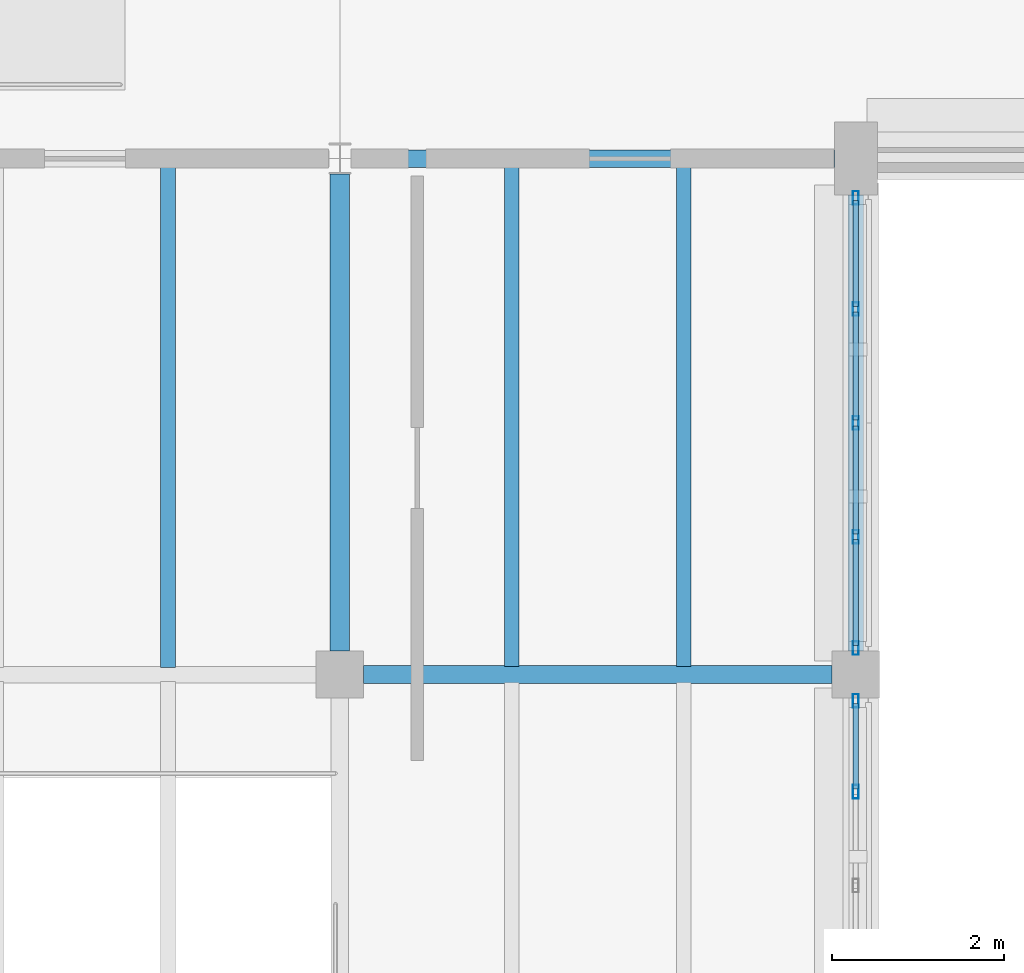
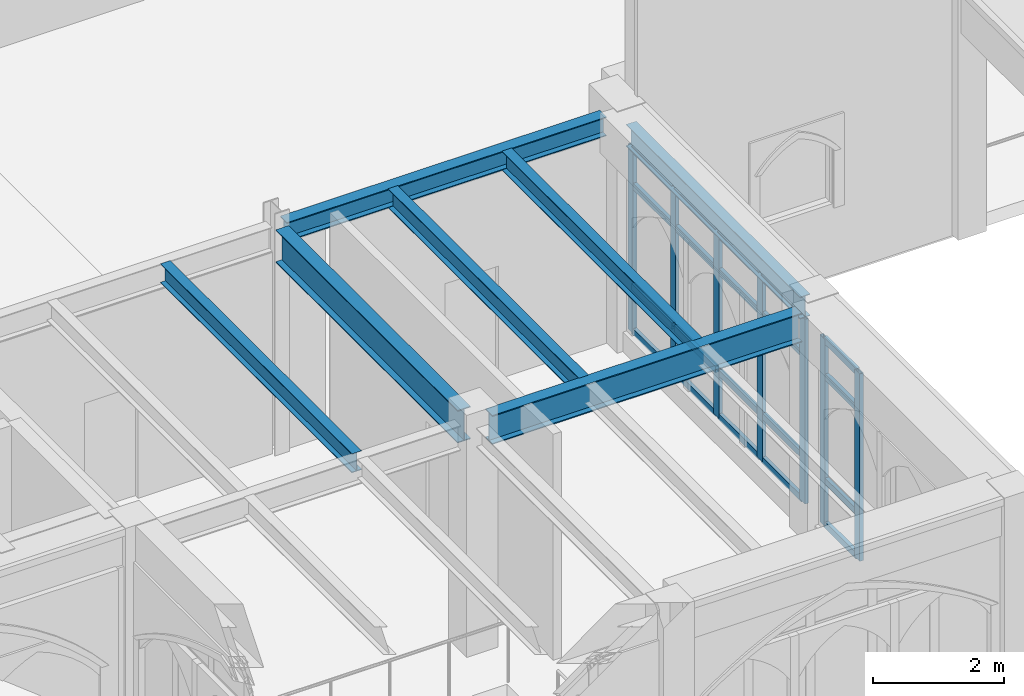
# One storey, part 40 of 108: 27 members, 7 beams, 2 elements without a shape of their own.
"""IFC4 building model written with IfcOpenShell, lengths in metres."""

from ifc_helpers import new_model, si_unit, direction, frame, origin, origin_2d, place, context, subcontext, project, spatial, hollow_rectangle, i_section, extrude, material, layer, layer_set, material_profile, profile_set, type_object, element, aggregate, save


model = new_model("IFC4")

# Units and contexts
model_context = context("Model", 3, precision=1e-05, world=origin(), true_north=direction((0.0, 1.0)))
body_context = subcontext(model_context, "Body", "Model", "MODEL_VIEW")
ifc_project = project(units=[si_unit("LENGTHUNIT", "METRE"), si_unit("AREAUNIT", "SQUARE_METRE"), si_unit("VOLUMEUNIT", "CUBIC_METRE"), si_unit("PLANEANGLEUNIT", "RADIAN"), si_unit("MASSUNIT", "GRAM", prefix="KILO")], contexts=[model_context])

# Site, building, storey
site_placement = place(None, origin())
site = spatial("IfcSite", under=ifc_project, at=site_placement, CompositionType="ELEMENT")
building_placement = place(site_placement, origin())
building = spatial("IfcBuilding", under=site, at=building_placement, Name="Cumevento Cable Car Station", CompositionType="ELEMENT")
storey_placement = place(building_placement, frame((0.0, 0.0, 13.5)))
storey = spatial("IfcBuildingStorey", under=building, at=storey_placement, Name="L04", CompositionType="ELEMENT", Elevation=13.5)

# Curtain wall, members
ifc_material_1 = material(Name="Anodised Bronze Aluminium AW-6063-T6", Category="aluminium")
ifc_layer_1 = layer(ifc_material_1, 0.177978515625)
ifc_layer_set_1 = layer_set([ifc_layer_1], Name="Anodised Bronze Aluminium AW-6063-T6")
curtain_wall_type_1 = type_object("IfcCurtainWallType", Name="Lancet Curtain Wall CW-04 1170", PredefinedType="NOTDEFINED", material=ifc_layer_set_1)
curtain_wall_1_placement = place(storey_placement, origin())
curtain_wall_1 = element("IfcCurtainWall", 1, at=curtain_wall_1_placement, inside=storey, type_object=curtain_wall_type_1, Name="Lancet Curtain Wall CW-04 L04 #147", PredefinedType="NOTDEFINED")
ifc_material_2 = material(Name="Anodised Bronze Aluminium AW-6063-T6", Category="aluminium")
ifc_material_profile_1 = material_profile(ifc_material_2, hollow_rectangle(XDim=0.06494140625, YDim=0.159912109375, WallThickness=0.00390625, at=origin_2d()), Name="ALUM65x160x4")
ifc_profile_set_1 = profile_set([ifc_material_profile_1], Name="Anodised Bronze Aluminium AW-6063-T6")
member_type_1 = type_object("IfcMemberType", Name="Curtain Mullion CWM-01 ALUM65x160x4", PredefinedType="MULLION", material=ifc_profile_set_1)
member_1_placement = place(storey_placement, frame((82.0, 38.6923828125, 0.31005859375), z_axis=(0.0, 0.0, 1.0), x_axis=(1.0, 0.0, 0.0)))
member_1 = element("IfcMember", 2, at=member_1_placement, type_object=member_type_1, Name="CW-04 mullion 1", PredefinedType="MULLION", context=body_context, shape_type="SweptSolid", body=[
    extrude(hollow_rectangle(XDim=0.06494140625, YDim=0.159912109375, WallThickness=0.00390625, at=origin_2d()), origin(), (0.0, 0.0, 1.0), 3.487060546875),
])
member_2_placement = place(storey_placement, frame((82.0, 37.635009765625, 0.31005859375), z_axis=(0.0, 0.0, 1.0), x_axis=(1.0, 0.0, 0.0)))
member_2 = element("IfcMember", 3, at=member_2_placement, type_object=member_type_1, Name="CW-04 mullion 2", PredefinedType="MULLION", context=body_context, shape_type="SweptSolid", body=[
    extrude(hollow_rectangle(XDim=0.06494140625, YDim=0.159912109375, WallThickness=0.00390625, at=origin_2d()), origin(), (0.0, 0.0, 1.0), 3.487060546875),
])

ifc_material_3 = material(Name="Anodised Bronze Aluminium AW-6063-T6", Category="aluminium")
ifc_layer_2 = layer(ifc_material_3, 0.18408203125)
ifc_layer_set_2 = layer_set([ifc_layer_2], Name="Anodised Bronze Aluminium AW-6063-T6")
curtain_wall_type_2 = type_object("IfcCurtainWallType", Name="Lancet Curtain Wall CW-05 1210", PredefinedType="NOTDEFINED", material=ifc_layer_set_2)
curtain_wall_2_placement = place(storey_placement, origin())
curtain_wall_2 = element("IfcCurtainWall", 4, at=curtain_wall_2_placement, inside=storey, type_object=curtain_wall_type_2, Name="Lancet Curtain Wall CW-05 L04 #148", PredefinedType="NOTDEFINED")
member_3_placement = place(storey_placement, frame((82.0, 44.54248046875, 0.360107421875), z_axis=(0.0, 0.0, 1.0), x_axis=(1.0, 0.0, 0.0)))
member_3 = element("IfcMember", 5, at=member_3_placement, type_object=member_type_1, Name="CW-05 mullion 1", PredefinedType="MULLION", context=body_context, shape_type="SweptSolid", body=[
    extrude(hollow_rectangle(XDim=0.06494140625, YDim=0.159912109375, WallThickness=0.00390625, at=origin_2d()), origin(), (0.0, 0.0, 1.0), 3.43701171875),
])
member_4_placement = place(storey_placement, frame((82.0, 43.25, 0.360107421875), z_axis=(0.0, 0.0, 1.0), x_axis=(1.0, 0.0, 0.0)))
member_4 = element("IfcMember", 6, at=member_4_placement, type_object=member_type_1, Name="CW-05 mullion 2", PredefinedType="MULLION", context=body_context, shape_type="SweptSolid", body=[
    extrude(hollow_rectangle(XDim=0.06494140625, YDim=0.159912109375, WallThickness=0.00390625, at=origin_2d()), origin(), (0.0, 0.0, 1.0), 3.43701171875),
])
member_5_placement = place(storey_placement, frame((82.0, 41.925048828125, 0.360107421875), z_axis=(0.0, 0.0, 1.0), x_axis=(1.0, 0.0, 0.0)))
member_5 = element("IfcMember", 7, at=member_5_placement, type_object=member_type_1, Name="CW-05 mullion 3", PredefinedType="MULLION", context=body_context, shape_type="SweptSolid", body=[
    extrude(hollow_rectangle(XDim=0.06494140625, YDim=0.159912109375, WallThickness=0.00390625, at=origin_2d()), origin(), (0.0, 0.0, 1.0), 3.43701171875),
])
member_6_placement = place(storey_placement, frame((82.0, 40.60009765625, 0.360107421875), z_axis=(0.0, 0.0, 1.0), x_axis=(1.0, 0.0, 0.0)))
member_6 = element("IfcMember", 8, at=member_6_placement, type_object=member_type_1, Name="CW-05 mullion 4", PredefinedType="MULLION", context=body_context, shape_type="SweptSolid", body=[
    extrude(hollow_rectangle(XDim=0.06494140625, YDim=0.159912109375, WallThickness=0.00390625, at=origin_2d()), origin(), (0.0, 0.0, 1.0), 3.43701171875),
])
member_7_placement = place(storey_placement, frame((82.0, 39.3076171875, 0.360107421875), z_axis=(0.0, 0.0, 1.0), x_axis=(1.0, 0.0, 0.0)))
member_7 = element("IfcMember", 9, at=member_7_placement, type_object=member_type_1, Name="CW-05 mullion 5", PredefinedType="MULLION", context=body_context, shape_type="SweptSolid", body=[
    extrude(hollow_rectangle(XDim=0.06494140625, YDim=0.159912109375, WallThickness=0.00390625, at=origin_2d()), origin(), (0.0, 0.0, 1.0), 3.43701171875),
])

# Member
ifc_material_4 = material(Name="Anodised Bronze Aluminium AW-6063-T6", Category="aluminium")
ifc_material_profile_2 = material_profile(ifc_material_4, hollow_rectangle(XDim=0.06494140625, YDim=0.1201171875, WallThickness=0.00390625, at=origin_2d()), Name="ALUT65x120x4")
ifc_profile_set_2 = profile_set([ifc_material_profile_2], Name="Anodised Bronze Aluminium AW-6063-T6")
member_type_2 = type_object("IfcMemberType", Name="Curtain Transom CWT-01 ALUT65x120x4", PredefinedType="USERDEFINED", material=ifc_profile_set_2)
member_8_placement = place(storey_placement, frame((82.0, 38.659912109375, 0.342529296875), z_axis=(0.0, -1.0, 0.0), x_axis=(1.0, 0.0, 0.0)))
member_8 = element("IfcMember", 10, at=member_8_placement, type_object=member_type_2, Name="CW-04 transom 1.1", ObjectType="TRANSOM", PredefinedType="USERDEFINED", context=body_context, shape_type="SweptSolid", body=[
    extrude(hollow_rectangle(XDim=0.06494140625, YDim=0.1201171875, WallThickness=0.00390625, at=origin_2d()), origin(), (0.0, 0.0, 1.0), 0.992431640625),
])

member_9_placement = place(storey_placement, frame((82.0, 38.659912109375, 1.159912109375), z_axis=(0.0, -1.0, 0.0), x_axis=(1.0, 0.0, 0.0)))
member_9 = element("IfcMember", 11, at=member_9_placement, type_object=member_type_2, Name="CW-04 transom 1.2", ObjectType="TRANSOM", PredefinedType="USERDEFINED", context=body_context, shape_type="SweptSolid", body=[
    extrude(hollow_rectangle(XDim=0.06494140625, YDim=0.1201171875, WallThickness=0.00390625, at=origin_2d()), origin(), (0.0, 0.0, 1.0), 0.992431640625),
])

member_10_placement = place(storey_placement, frame((82.0, 38.659912109375, 3.096923828125), z_axis=(0.0, -1.0, 0.0), x_axis=(1.0, 0.0, 0.0)))
member_10 = element("IfcMember", 12, at=member_10_placement, type_object=member_type_2, Name="CW-04 transom 1.3", ObjectType="TRANSOM", PredefinedType="USERDEFINED", context=body_context, shape_type="SweptSolid", body=[
    extrude(hollow_rectangle(XDim=0.06494140625, YDim=0.1201171875, WallThickness=0.00390625, at=origin_2d()), origin(), (0.0, 0.0, 1.0), 0.992431640625),
])

member_11_placement = place(storey_placement, frame((82.0, 38.659912109375, 3.764404296875), z_axis=(0.0, -1.0, 0.0), x_axis=(1.0, 0.0, 0.0)))
member_11 = element("IfcMember", 13, at=member_11_placement, type_object=member_type_2, Name="CW-04 transom 1.4", ObjectType="TRANSOM", PredefinedType="USERDEFINED", context=body_context, shape_type="SweptSolid", body=[
    extrude(hollow_rectangle(XDim=0.06494140625, YDim=0.1201171875, WallThickness=0.00390625, at=origin_2d()), origin(), (0.0, 0.0, 1.0), 0.992431640625),
])

aggregate(curtain_wall_1, [member_1, member_2, member_8, member_9, member_10, member_11])

member_12_placement = place(storey_placement, frame((82.0, 44.510009765625, 0.392578125), z_axis=(0.0, -1.0, 0.0), x_axis=(1.0, 0.0, 0.0)))
member_12 = element("IfcMember", 14, at=member_12_placement, type_object=member_type_2, Name="CW-05 transom 1.1", ObjectType="TRANSOM", PredefinedType="USERDEFINED", context=body_context, shape_type="SweptSolid", body=[
    extrude(hollow_rectangle(XDim=0.06494140625, YDim=0.1201171875, WallThickness=0.00390625, at=origin_2d()), origin(), (0.0, 0.0, 1.0), 1.2275390625),
])

member_13_placement = place(storey_placement, frame((82.0, 44.510009765625, 1.2099609375), z_axis=(0.0, -1.0, 0.0), x_axis=(1.0, 0.0, 0.0)))
member_13 = element("IfcMember", 15, at=member_13_placement, type_object=member_type_2, Name="CW-05 transom 1.2", ObjectType="TRANSOM", PredefinedType="USERDEFINED", context=body_context, shape_type="SweptSolid", body=[
    extrude(hollow_rectangle(XDim=0.06494140625, YDim=0.1201171875, WallThickness=0.00390625, at=origin_2d()), origin(), (0.0, 0.0, 1.0), 1.2275390625),
])

member_14_placement = place(storey_placement, frame((82.0, 44.510009765625, 3.096923828125), z_axis=(0.0, -1.0, 0.0), x_axis=(1.0, 0.0, 0.0)))
member_14 = element("IfcMember", 16, at=member_14_placement, type_object=member_type_2, Name="CW-05 transom 1.3", ObjectType="TRANSOM", PredefinedType="USERDEFINED", context=body_context, shape_type="SweptSolid", body=[
    extrude(hollow_rectangle(XDim=0.06494140625, YDim=0.1201171875, WallThickness=0.00390625, at=origin_2d()), origin(), (0.0, 0.0, 1.0), 1.2275390625),
])

member_15_placement = place(storey_placement, frame((82.0, 44.510009765625, 3.764404296875), z_axis=(0.0, -1.0, 0.0), x_axis=(1.0, 0.0, 0.0)))
member_15 = element("IfcMember", 17, at=member_15_placement, type_object=member_type_2, Name="CW-05 transom 1.4", ObjectType="TRANSOM", PredefinedType="USERDEFINED", context=body_context, shape_type="SweptSolid", body=[
    extrude(hollow_rectangle(XDim=0.06494140625, YDim=0.1201171875, WallThickness=0.00390625, at=origin_2d()), origin(), (0.0, 0.0, 1.0), 1.2275390625),
])

member_16_placement = place(storey_placement, frame((82.0, 43.217529296875, 0.392578125), z_axis=(0.0, -1.0, 0.0), x_axis=(1.0, 0.0, 0.0)))
member_16 = element("IfcMember", 18, at=member_16_placement, type_object=member_type_2, Name="CW-05 transom 2.1", ObjectType="TRANSOM", PredefinedType="USERDEFINED", context=body_context, shape_type="SweptSolid", body=[
    extrude(hollow_rectangle(XDim=0.06494140625, YDim=0.1201171875, WallThickness=0.00390625, at=origin_2d()), origin(), (0.0, 0.0, 1.0), 1.260009765625),
])

member_17_placement = place(storey_placement, frame((82.0, 43.217529296875, 1.2099609375), z_axis=(0.0, -1.0, 0.0), x_axis=(1.0, 0.0, 0.0)))
member_17 = element("IfcMember", 19, at=member_17_placement, type_object=member_type_2, Name="CW-05 transom 2.2", ObjectType="TRANSOM", PredefinedType="USERDEFINED", context=body_context, shape_type="SweptSolid", body=[
    extrude(hollow_rectangle(XDim=0.06494140625, YDim=0.1201171875, WallThickness=0.00390625, at=origin_2d()), origin(), (0.0, 0.0, 1.0), 1.260009765625),
])

member_18_placement = place(storey_placement, frame((82.0, 43.217529296875, 3.096923828125), z_axis=(0.0, -1.0, 0.0), x_axis=(1.0, 0.0, 0.0)))
member_18 = element("IfcMember", 20, at=member_18_placement, type_object=member_type_2, Name="CW-05 transom 2.3", ObjectType="TRANSOM", PredefinedType="USERDEFINED", context=body_context, shape_type="SweptSolid", body=[
    extrude(hollow_rectangle(XDim=0.06494140625, YDim=0.1201171875, WallThickness=0.00390625, at=origin_2d()), origin(), (0.0, 0.0, 1.0), 1.260009765625),
])

member_19_placement = place(storey_placement, frame((82.0, 43.217529296875, 3.764404296875), z_axis=(0.0, -1.0, 0.0), x_axis=(1.0, 0.0, 0.0)))
member_19 = element("IfcMember", 21, at=member_19_placement, type_object=member_type_2, Name="CW-05 transom 2.4", ObjectType="TRANSOM", PredefinedType="USERDEFINED", context=body_context, shape_type="SweptSolid", body=[
    extrude(hollow_rectangle(XDim=0.06494140625, YDim=0.1201171875, WallThickness=0.00390625, at=origin_2d()), origin(), (0.0, 0.0, 1.0), 1.260009765625),
])

member_20_placement = place(storey_placement, frame((82.0, 41.892578125, 0.392578125), z_axis=(0.0, -1.0, 0.0), x_axis=(1.0, 0.0, 0.0)))
member_20 = element("IfcMember", 22, at=member_20_placement, type_object=member_type_2, Name="CW-05 transom 3.1", ObjectType="TRANSOM", PredefinedType="USERDEFINED", context=body_context, shape_type="SweptSolid", body=[
    extrude(hollow_rectangle(XDim=0.06494140625, YDim=0.1201171875, WallThickness=0.00390625, at=origin_2d()), origin(), (0.0, 0.0, 1.0), 1.260009765625),
])

member_21_placement = place(storey_placement, frame((82.0, 41.892578125, 1.2099609375), z_axis=(0.0, -1.0, 0.0), x_axis=(1.0, 0.0, 0.0)))
member_21 = element("IfcMember", 23, at=member_21_placement, type_object=member_type_2, Name="CW-05 transom 3.2", ObjectType="TRANSOM", PredefinedType="USERDEFINED", context=body_context, shape_type="SweptSolid", body=[
    extrude(hollow_rectangle(XDim=0.06494140625, YDim=0.1201171875, WallThickness=0.00390625, at=origin_2d()), origin(), (0.0, 0.0, 1.0), 1.260009765625),
])

member_22_placement = place(storey_placement, frame((82.0, 41.892578125, 3.096923828125), z_axis=(0.0, -1.0, 0.0), x_axis=(1.0, 0.0, 0.0)))
member_22 = element("IfcMember", 24, at=member_22_placement, type_object=member_type_2, Name="CW-05 transom 3.3", ObjectType="TRANSOM", PredefinedType="USERDEFINED", context=body_context, shape_type="SweptSolid", body=[
    extrude(hollow_rectangle(XDim=0.06494140625, YDim=0.1201171875, WallThickness=0.00390625, at=origin_2d()), origin(), (0.0, 0.0, 1.0), 1.260009765625),
])

member_23_placement = place(storey_placement, frame((82.0, 41.892578125, 3.764404296875), z_axis=(0.0, -1.0, 0.0), x_axis=(1.0, 0.0, 0.0)))
member_23 = element("IfcMember", 25, at=member_23_placement, type_object=member_type_2, Name="CW-05 transom 3.4", ObjectType="TRANSOM", PredefinedType="USERDEFINED", context=body_context, shape_type="SweptSolid", body=[
    extrude(hollow_rectangle(XDim=0.06494140625, YDim=0.1201171875, WallThickness=0.00390625, at=origin_2d()), origin(), (0.0, 0.0, 1.0), 1.260009765625),
])

member_24_placement = place(storey_placement, frame((82.0, 40.5673828125, 0.392578125), z_axis=(0.0, -1.0, 0.0), x_axis=(1.0, 0.0, 0.0)))
member_24 = element("IfcMember", 26, at=member_24_placement, type_object=member_type_2, Name="CW-05 transom 4.1", ObjectType="TRANSOM", PredefinedType="USERDEFINED", context=body_context, shape_type="SweptSolid", body=[
    extrude(hollow_rectangle(XDim=0.06494140625, YDim=0.1201171875, WallThickness=0.00390625, at=origin_2d()), origin(), (0.0, 0.0, 1.0), 1.227294921875),
])

member_25_placement = place(storey_placement, frame((82.0, 40.5673828125, 1.2099609375), z_axis=(0.0, -1.0, 0.0), x_axis=(1.0, 0.0, 0.0)))
member_25 = element("IfcMember", 27, at=member_25_placement, type_object=member_type_2, Name="CW-05 transom 4.2", ObjectType="TRANSOM", PredefinedType="USERDEFINED", context=body_context, shape_type="SweptSolid", body=[
    extrude(hollow_rectangle(XDim=0.06494140625, YDim=0.1201171875, WallThickness=0.00390625, at=origin_2d()), origin(), (0.0, 0.0, 1.0), 1.227294921875),
])

member_26_placement = place(storey_placement, frame((82.0, 40.5673828125, 3.096923828125), z_axis=(0.0, -1.0, 0.0), x_axis=(1.0, 0.0, 0.0)))
member_26 = element("IfcMember", 28, at=member_26_placement, type_object=member_type_2, Name="CW-05 transom 4.3", ObjectType="TRANSOM", PredefinedType="USERDEFINED", context=body_context, shape_type="SweptSolid", body=[
    extrude(hollow_rectangle(XDim=0.06494140625, YDim=0.1201171875, WallThickness=0.00390625, at=origin_2d()), origin(), (0.0, 0.0, 1.0), 1.227294921875),
])

member_27_placement = place(storey_placement, frame((82.0, 40.5673828125, 3.764404296875), z_axis=(0.0, -1.0, 0.0), x_axis=(1.0, 0.0, 0.0)))
member_27 = element("IfcMember", 29, at=member_27_placement, type_object=member_type_2, Name="CW-05 transom 4.4", ObjectType="TRANSOM", PredefinedType="USERDEFINED", context=body_context, shape_type="SweptSolid", body=[
    extrude(hollow_rectangle(XDim=0.06494140625, YDim=0.1201171875, WallThickness=0.00390625, at=origin_2d()), origin(), (0.0, 0.0, 1.0), 1.227294921875),
])

aggregate(curtain_wall_2, [member_3, member_4, member_5, member_6, member_7, member_12, member_13, member_14, member_15, member_16, member_17, member_18, member_19, member_20, member_21, member_22, member_23, member_24, member_25, member_26, member_27])

# Beams
ifc_material_5 = material(Name="Steel ASTM A572 Grade 50", Category="steel")
ifc_material_profile_3 = material_profile(ifc_material_5, i_section(OverallWidth=0.22802734375, OverallDepth=0.60791015625, WebThickness=0.01123046875, FlangeThickness=0.017333984375, at=origin_2d()), Name="W610x113.0")
ifc_profile_set_3 = profile_set([ifc_material_profile_3], Name="Steel ASTM A572 Grade 50")
beam_type_1 = type_object("IfcBeamType", Name="Structural Beam BM-02 W610x113.0", PredefinedType="BEAM", material=ifc_profile_set_3)
beam_1_placement = place(storey_placement, frame((76.0, 39.27490234375, 3.89990234375), z_axis=(0.0, 1.0, 0.0), x_axis=(-1.0, 0.0, 0.0)))
element("IfcBeam", 30, at=beam_1_placement, inside=storey, type_object=beam_type_1, Name="Beam BM-02 L04 #1357", PredefinedType="BEAM", context=body_context, shape_type="SweptSolid", body=[
    extrude(i_section(OverallWidth=0.22802734375, OverallDepth=0.60791015625, WebThickness=0.01123046875, FlangeThickness=0.017333984375, at=origin_2d()), origin(), (0.0, 0.0, 1.0), 5.543701171875),
])
ifc_material_6 = material(Name="Steel ASTM A572 Grade 50", Category="steel")
ifc_material_profile_4 = material_profile(ifc_material_6, i_section(OverallWidth=0.205078125, OverallDepth=0.35400390625, WebThickness=0.009521484375, FlangeThickness=0.016845703125, at=origin_2d()), Name="W360x79.0")
ifc_profile_set_4 = profile_set([ifc_material_profile_4], Name="Steel ASTM A572 Grade 50")
beam_type_2 = type_object("IfcBeamType", Name="Structural Beam BM-05 W360x79.0", PredefinedType="BEAM", material=ifc_profile_set_4)
beam_2_placement = place(storey_placement, frame((76.12841796875, 45.0, 4.027099609375), z_axis=(1.0, 0.0, 0.0), x_axis=(0.0, 1.0, 0.0)))
element("IfcBeam", 31, at=beam_2_placement, inside=storey, type_object=beam_type_2, Name="Beam BM-05 L04 #1354", PredefinedType="BEAM", context=body_context, shape_type="SweptSolid", body=[
    extrude(i_section(OverallWidth=0.205078125, OverallDepth=0.35400390625, WebThickness=0.009521484375, FlangeThickness=0.016845703125, at=origin_2d()), origin(), (0.0, 0.0, 1.0), 5.62158203125),
])
ifc_material_7 = material(Name="Steel ASTM A572 Grade 50", Category="steel")
ifc_material_profile_5 = material_profile(ifc_material_7, i_section(OverallWidth=0.2109375, OverallDepth=0.5390625, WebThickness=0.01171875, FlangeThickness=0.018798828125, at=origin_2d()), Name="W530x109.0")
ifc_profile_set_5 = profile_set([ifc_material_profile_5], Name="Steel ASTM A572 Grade 50")
beam_type_3 = type_object("IfcBeamType", Name="Structural Beam BM-11 W530x109.0", PredefinedType="BEAM", material=ifc_profile_set_5)
beam_3_placement = place(storey_placement, frame((76.27490234375, 39.0, 3.9345703125), z_axis=(1.0, 0.0, 0.0), x_axis=(0.0, 1.0, 0.0)))
element("IfcBeam", 32, at=beam_3_placement, inside=storey, type_object=beam_type_3, Name="Beam BM-11 L04 #1352", PredefinedType="BEAM", context=body_context, shape_type="SweptSolid", body=[
    extrude(i_section(OverallWidth=0.2109375, OverallDepth=0.5390625, WebThickness=0.01171875, FlangeThickness=0.018798828125, at=origin_2d()), origin(), (0.0, 0.0, 1.0), 5.4501953125),
])
ifc_material_8 = material(Name="Steel ASTM A572 Grade 50", Category="steel")
ifc_material_profile_6 = material_profile(ifc_material_8, i_section(OverallWidth=0.1708984375, OverallDepth=0.35498046875, WebThickness=0.007080078125, FlangeThickness=0.01171875, at=origin_2d()), Name="W360x51.0")
ifc_profile_set_6 = profile_set([ifc_material_profile_6], Name="Steel ASTM A572 Grade 50")
beam_type_4 = type_object("IfcBeamType", Name="Structural Joist JS-01 W360x51.0", PredefinedType="JOIST", material=ifc_profile_set_6)
beam_4_placement = place(storey_placement, frame((74.0, 39.083984375, 4.026611328125), z_axis=(0.0, 1.0, 0.0), x_axis=(-1.0, 0.0, 0.0)))
element("IfcBeam", 33, at=beam_4_placement, inside=storey, type_object=beam_type_4, Name="Composite Floor Joist JS-01 L04 #1499", PredefinedType="JOIST", context=body_context, shape_type="SweptSolid", body=[
    extrude(i_section(OverallWidth=0.1708984375, OverallDepth=0.35498046875, WebThickness=0.007080078125, FlangeThickness=0.01171875, at=origin_2d()), origin(), (0.0, 0.0, 1.0), 5.8330078125),
])
for number, where, z_axis, x_axis, name in (
    (34, (78.0, 39.093505859375, 4.026611328125), (0.0, 1.0, 0.0), (-1.0, 0.0, 0.0), "Composite Floor Joist JS-01 L04 #1501"),
    (35, (80.0, 39.093505859375, 4.026611328125), (0.0, 1.0, 0.0), (-1.0, 0.0, 0.0), "Composite Floor Joist JS-01 L04 #1503"),
):
    element("IfcBeam", number, at=place(storey_placement, frame(where, z_axis=z_axis, x_axis=x_axis)), inside=storey, type_object=beam_type_4, Name=name, PredefinedType="JOIST", context=body_context, shape_type="SweptSolid", body=[
        extrude(i_section(OverallWidth=0.1708984375, OverallDepth=0.35498046875, WebThickness=0.007080078125, FlangeThickness=0.01171875, at=origin_2d()), origin(), (0.0, 0.0, 1.0), 5.81591796875),
    ])
ifc_material_9 = material(Name="Steel ASTM A572 Grade 50", Category="steel")
ifc_material_profile_7 = material_profile(ifc_material_9, i_section(OverallWidth=0.177978515625, OverallDepth=0.406982421875, WebThickness=0.0078125, FlangeThickness=0.0126953125, at=origin_2d()), Name="W410x60.0")
ifc_profile_set_7 = profile_set([ifc_material_profile_7], Name="Steel ASTM A572 Grade 50")
beam_type_5 = type_object("IfcBeamType", Name="Structural Spandrel SP-01 W410x60.0", PredefinedType="SPANDREL", material=ifc_profile_set_7)
beam_5_placement = place(storey_placement, frame((82.0, 39.27490234375, 4.00048828125), z_axis=(0.0, 1.0, 0.0), x_axis=(-1.0, 0.0, 0.0)))
element("IfcBeam", 36, at=beam_5_placement, inside=storey, type_object=beam_type_5, Name="Beam SP-01 L04 #1359", PredefinedType="SPANDREL", context=body_context, shape_type="SweptSolid", body=[
    extrude(i_section(OverallWidth=0.177978515625, OverallDepth=0.406982421875, WebThickness=0.0078125, FlangeThickness=0.0126953125, at=origin_2d()), origin(), (0.0, 0.0, 1.0), 5.300048828125),
])

save(model, "model.ifc")
